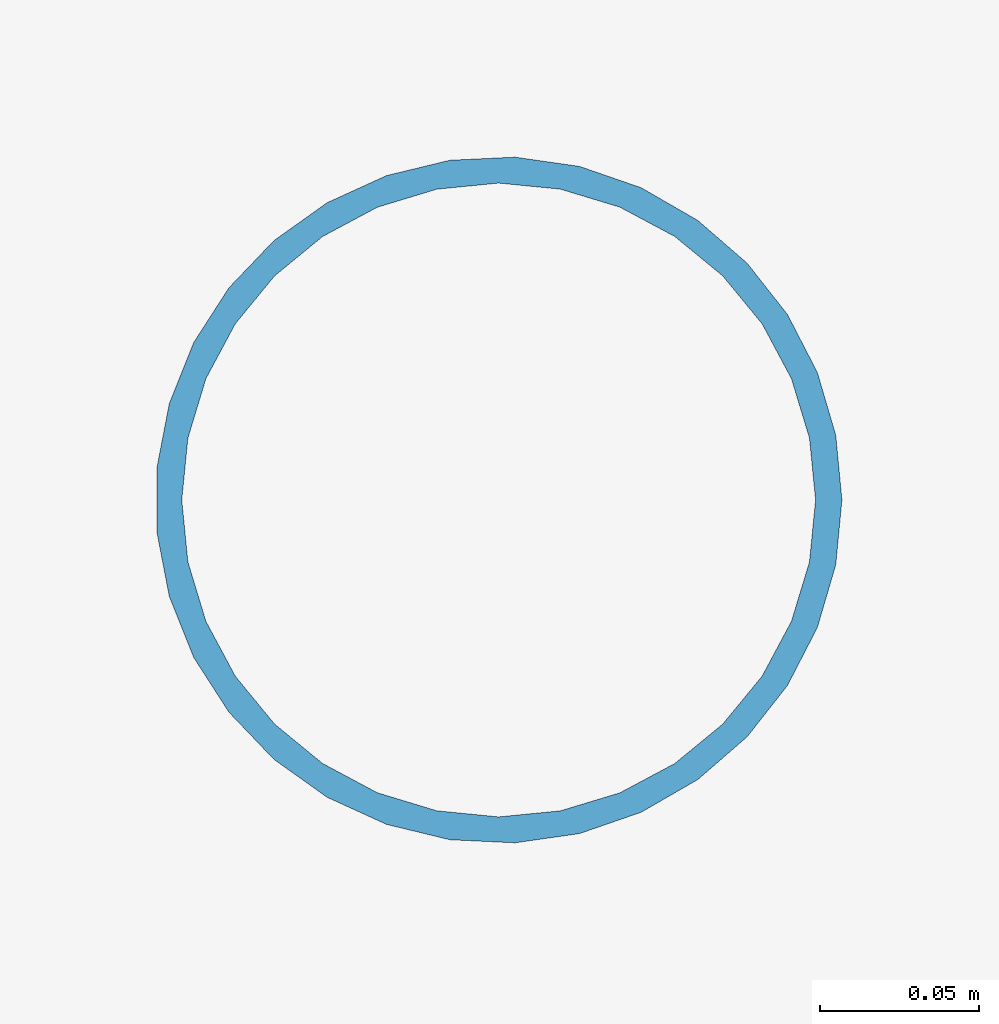
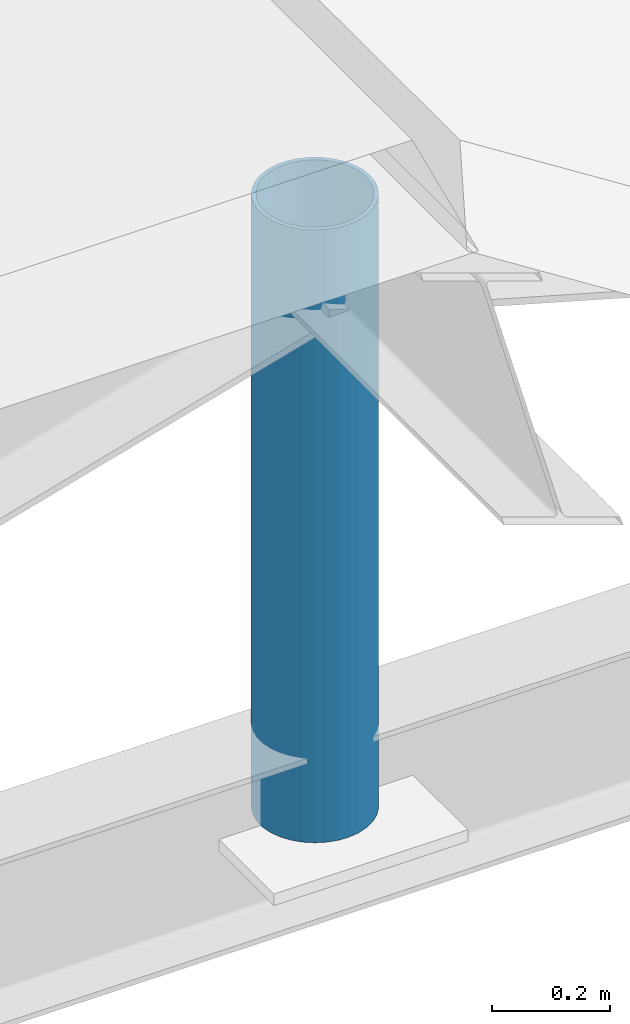
# One storey, part 14 of 40: 1 member.
"""IFC4 building model written with IfcOpenShell, lengths in metres."""

from ifc_helpers import new_model, si_unit, direction, frame, origin, origin_2d, place, context, subcontext, project, spatial, hollow_circle, extrude, material, material_profile, profile_set, type_object, element, save


model = new_model("IFC4")

# Units and contexts
model_context = context("Model", 3, precision=1e-05, world=origin(), true_north=direction((0.0, 1.0)))
body_context = subcontext(model_context, "Body", "Model", "MODEL_VIEW")
ifc_project = project(units=[si_unit("LENGTHUNIT", "METRE"), si_unit("AREAUNIT", "SQUARE_METRE"), si_unit("VOLUMEUNIT", "CUBIC_METRE"), si_unit("PLANEANGLEUNIT", "RADIAN"), si_unit("MASSUNIT", "GRAM", prefix="KILO")], contexts=[model_context])

# Site, building, storey
site_placement = place(None, origin())
site = spatial("IfcSite", under=ifc_project, at=site_placement, CompositionType="ELEMENT")
building_placement = place(site_placement, origin())
building = spatial("IfcBuilding", under=site, at=building_placement, Name="Suzunagisa Mobility Hub", CompositionType="ELEMENT")
storey_placement = place(building_placement, frame((0.0, 0.0, 21.89990234375)))
storey = spatial("IfcBuildingStorey", under=building, at=storey_placement, Name="L05", CompositionType="ELEMENT", Elevation=21.89990234375)

# Member
ifc_material = material(Name="Steel SN400B", Category="steel")
ifc_material_profile = material_profile(ifc_material, hollow_circle(Radius=0.108154296875, WallThickness=0.00830078125, at=origin_2d()), Name="CHS-216.3x8.2")
ifc_profile_set = profile_set([ifc_material_profile], Name="Steel SN400B")
member_type = type_object("IfcMemberType", Name="Roof Truss and Brace Member MB-14 CHS-216.3x8.2", PredefinedType="POST", material=ifc_profile_set)
member_placement = place(storey_placement, frame((22.5, 98.0, -0.3798828125), z_axis=(0.0, 0.0, 1.0), x_axis=(1.0, 0.0, 0.0)))
element("IfcMember", 1, at=member_placement, inside=storey, type_object=member_type, Name="L05 Ramp Canopy Truss Post 235", PredefinedType="POST", context=body_context, shape_type="SweptSolid", body=[
    extrude(hollow_circle(Radius=0.108154296875, WallThickness=0.00830078125, at=origin_2d()), origin(), (0.0, 0.0, 1.0), 1.26806640625),
])

save(model, "model.ifc")
